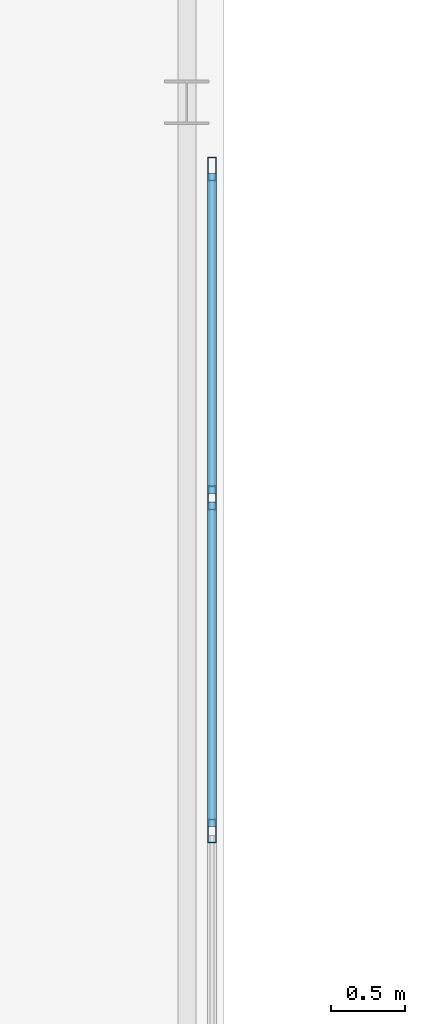
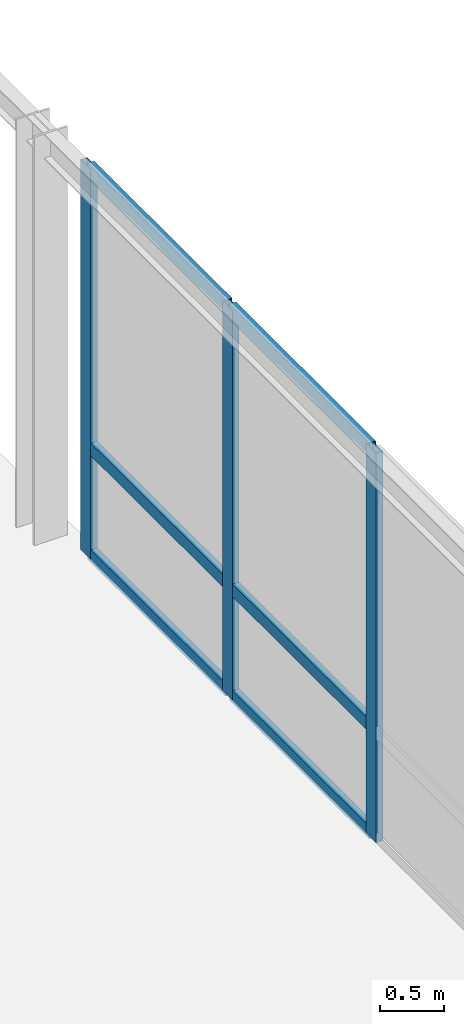
# One storey, part 130 of 189: 9 members, 1 element without a shape of its own.
"""IFC4 building model written with IfcOpenShell, lengths in metres."""

from ifc_helpers import new_model, si_unit, direction, frame, origin, origin_2d, place, context, subcontext, project, spatial, hollow_rectangle, extrude, material, layer, layer_set, material_profile, profile_set, type_object, element, aggregate, save


model = new_model("IFC4")

# Units and contexts
model_context = context("Model", 3, precision=1e-05, world=origin(), true_north=direction((0.0, 1.0)))
body_context = subcontext(model_context, "Body", "Model", "MODEL_VIEW")
ifc_project = project(units=[si_unit("LENGTHUNIT", "METRE"), si_unit("AREAUNIT", "SQUARE_METRE"), si_unit("VOLUMEUNIT", "CUBIC_METRE"), si_unit("PLANEANGLEUNIT", "RADIAN"), si_unit("MASSUNIT", "GRAM", prefix="KILO")], contexts=[model_context])

# Site, building, storey
site_placement = place(None, origin())
site = spatial("IfcSite", under=ifc_project, at=site_placement, CompositionType="ELEMENT")
building_placement = place(site_placement, origin())
building = spatial("IfcBuilding", under=site, at=building_placement, Name="Montecoro Central Library", CompositionType="ELEMENT")
storey_placement = place(building_placement, frame((0.0, 0.0, 9.179931640625)))
storey = spatial("IfcBuildingStorey", under=building, at=storey_placement, Name="L02", CompositionType="ELEMENT", Elevation=9.179931640625)

# Curtain wall, members
ifc_material_1 = material(Name="Bronze-anodised aluminium and low-E glazing", Category="aluminium")
ifc_layer = layer(ifc_material_1, 0.159912109375)
ifc_layer_set = layer_set([ifc_layer], Name="Bronze-anodised aluminium and low-E glazing")
curtain_wall_type = type_object("IfcCurtainWallType", Name="CWT-086", PredefinedType="NOTDEFINED", material=ifc_layer_set)
curtain_wall_placement = place(storey_placement, origin())
curtain_wall = element("IfcCurtainWall", 1, at=curtain_wall_placement, inside=storey, type_object=curtain_wall_type, Name="BR-E-L02-CW-E2", PredefinedType="NOTDEFINED")
ifc_material_2 = material(Name="Bronze-anodised aluminium", Category="aluminium")
ifc_material_profile_1 = material_profile(ifc_material_2, hollow_rectangle(XDim=0.06005859375, YDim=0.159912109375, WallThickness=0.00390625, at=origin_2d()), Name="CWM 160x60x4.0")
ifc_profile_set_1 = profile_set([ifc_material_profile_1], Name="Bronze-anodised aluminium")
member_type_1 = type_object("IfcMemberType", Name="CWM-BRZ-60", PredefinedType="MULLION", material=ifc_profile_set_1)
member_1_placement = place(storey_placement, frame((159.919921875, 60.873291015625, 0.0), z_axis=(0.0, 0.0, 1.0), x_axis=(-1.0, 0.0, 0.0)))
member_1 = element("IfcMember", 2, at=member_1_placement, type_object=member_type_1, Name="CW-086 mullion 2", PredefinedType="MULLION", context=body_context, shape_type="SweptSolid", body=[
    extrude(hollow_rectangle(XDim=0.06005859375, YDim=0.159912109375, WallThickness=0.00390625, at=origin_2d()), origin(), (0.0, 0.0, 1.0), 3.72998046875),
])
member_2_placement = place(storey_placement, frame((159.919921875, 63.126708984375, 0.0), z_axis=(0.0, 0.0, 1.0), x_axis=(-1.0, 0.0, 0.0)))
member_2 = element("IfcMember", 3, at=member_2_placement, type_object=member_type_1, Name="CW-086 mullion 3", PredefinedType="MULLION", context=body_context, shape_type="SweptSolid", body=[
    extrude(hollow_rectangle(XDim=0.06005859375, YDim=0.159912109375, WallThickness=0.00390625, at=origin_2d()), origin(), (0.0, 0.0, 1.0), 3.72998046875),
])
member_3_placement = place(storey_placement, frame((159.919921875, 65.35009765625, 0.0), z_axis=(0.0, 0.0, 1.0), x_axis=(-1.0, 0.0, 0.0)))
member_3 = element("IfcMember", 4, at=member_3_placement, type_object=member_type_1, Name="CW-086 mullion 4", PredefinedType="MULLION", context=body_context, shape_type="SweptSolid", body=[
    extrude(hollow_rectangle(XDim=0.06005859375, YDim=0.159912109375, WallThickness=0.00390625, at=origin_2d()), origin(), (0.0, 0.0, 1.0), 3.72998046875),
])
ifc_material_profile_2 = material_profile(ifc_material_2, hollow_rectangle(XDim=0.06005859375, YDim=0.1201171875, WallThickness=0.00390625, at=origin_2d()), Name="CWT 120x60x4.0")
ifc_profile_set_2 = profile_set([ifc_material_profile_2], Name="Bronze-anodised aluminium")
member_type_2 = type_object("IfcMemberType", Name="CWT-BRZ-60", PredefinedType="USERDEFINED", material=ifc_profile_set_2)
member_4_placement = place(storey_placement, frame((159.919921875, 60.9033203125, 0.030029296875), z_axis=(0.0, 1.0, 0.0), x_axis=(-1.0, 0.0, 0.0)))
member_4 = element("IfcMember", 5, at=member_4_placement, type_object=member_type_2, Name="CW-086 transom 2.1", ObjectType="TRANSOM", PredefinedType="USERDEFINED", context=body_context, shape_type="SweptSolid", body=[
    extrude(hollow_rectangle(XDim=0.06005859375, YDim=0.1201171875, WallThickness=0.00390625, at=origin_2d()), origin(), (0.0, 0.0, 1.0), 2.193359375),
])
member_5_placement = place(storey_placement, frame((159.919921875, 60.9033203125, 1.050048828125), z_axis=(0.0, 1.0, 0.0), x_axis=(-1.0, 0.0, 0.0)))
member_5 = element("IfcMember", 6, at=member_5_placement, type_object=member_type_2, Name="CW-086 transom 2.2", ObjectType="TRANSOM", PredefinedType="USERDEFINED", context=body_context, shape_type="SweptSolid", body=[
    extrude(hollow_rectangle(XDim=0.06005859375, YDim=0.1201171875, WallThickness=0.00390625, at=origin_2d()), origin(), (0.0, 0.0, 1.0), 2.193359375),
])
member_6_placement = place(storey_placement, frame((159.919921875, 60.9033203125, 3.699951171875), z_axis=(0.0, 1.0, 0.0), x_axis=(-1.0, 0.0, 0.0)))
member_6 = element("IfcMember", 7, at=member_6_placement, type_object=member_type_2, Name="CW-086 transom 2.3", ObjectType="TRANSOM", PredefinedType="USERDEFINED", context=body_context, shape_type="SweptSolid", body=[
    extrude(hollow_rectangle(XDim=0.06005859375, YDim=0.1201171875, WallThickness=0.00390625, at=origin_2d()), origin(), (0.0, 0.0, 1.0), 2.193359375),
])
member_7_placement = place(storey_placement, frame((159.919921875, 63.15673828125, 0.030029296875), z_axis=(0.0, 1.0, 0.0), x_axis=(-1.0, 0.0, 0.0)))
member_7 = element("IfcMember", 8, at=member_7_placement, type_object=member_type_2, Name="CW-086 transom 3.1", ObjectType="TRANSOM", PredefinedType="USERDEFINED", context=body_context, shape_type="SweptSolid", body=[
    extrude(hollow_rectangle(XDim=0.06005859375, YDim=0.1201171875, WallThickness=0.00390625, at=origin_2d()), origin(), (0.0, 0.0, 1.0), 2.163330078125),
])
member_8_placement = place(storey_placement, frame((159.919921875, 63.15673828125, 1.050048828125), z_axis=(0.0, 1.0, 0.0), x_axis=(-1.0, 0.0, 0.0)))
member_8 = element("IfcMember", 9, at=member_8_placement, type_object=member_type_2, Name="CW-086 transom 3.2", ObjectType="TRANSOM", PredefinedType="USERDEFINED", context=body_context, shape_type="SweptSolid", body=[
    extrude(hollow_rectangle(XDim=0.06005859375, YDim=0.1201171875, WallThickness=0.00390625, at=origin_2d()), origin(), (0.0, 0.0, 1.0), 2.163330078125),
])
member_9_placement = place(storey_placement, frame((159.919921875, 63.15673828125, 3.699951171875), z_axis=(0.0, 1.0, 0.0), x_axis=(-1.0, 0.0, 0.0)))
member_9 = element("IfcMember", 10, at=member_9_placement, type_object=member_type_2, Name="CW-086 transom 3.3", ObjectType="TRANSOM", PredefinedType="USERDEFINED", context=body_context, shape_type="SweptSolid", body=[
    extrude(hollow_rectangle(XDim=0.06005859375, YDim=0.1201171875, WallThickness=0.00390625, at=origin_2d()), origin(), (0.0, 0.0, 1.0), 2.163330078125),
])
aggregate(curtain_wall, [member_1, member_2, member_3, member_4, member_5, member_6, member_7, member_8, member_9])

save(model, "model.ifc")
